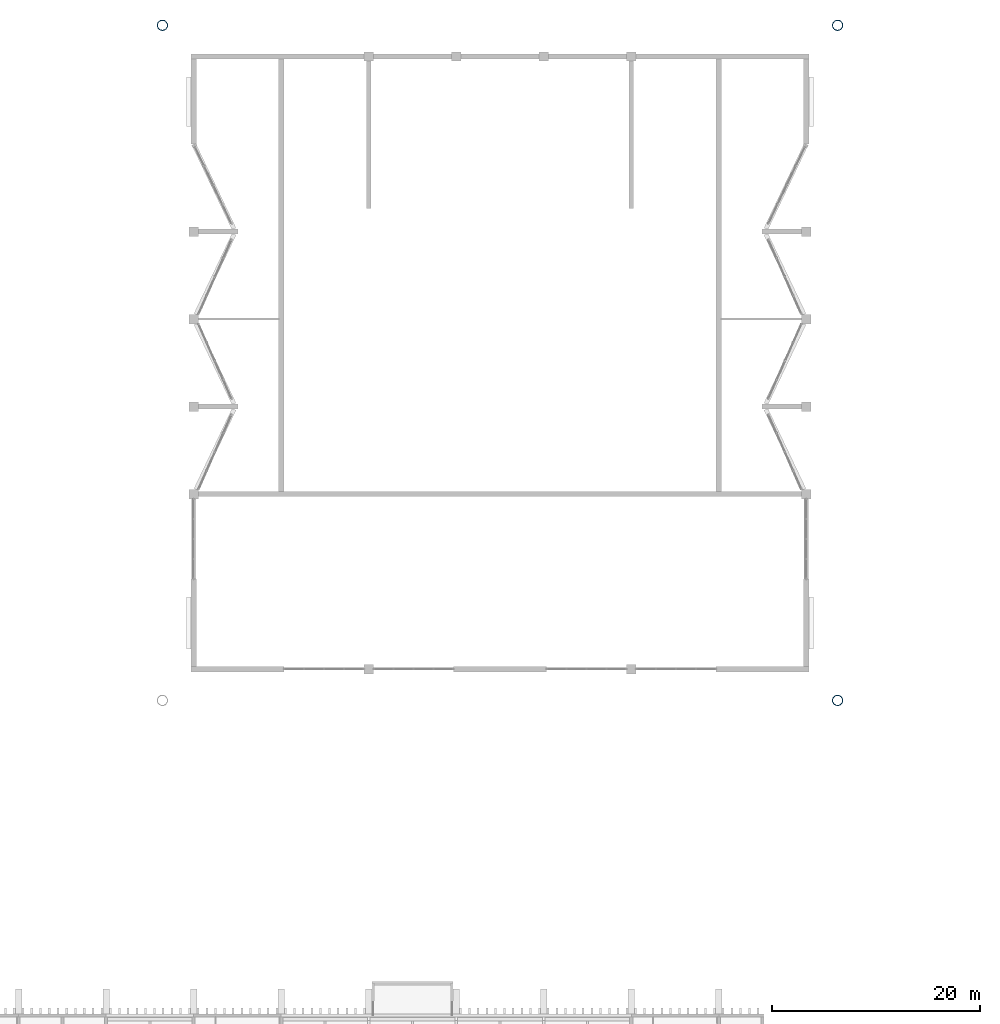
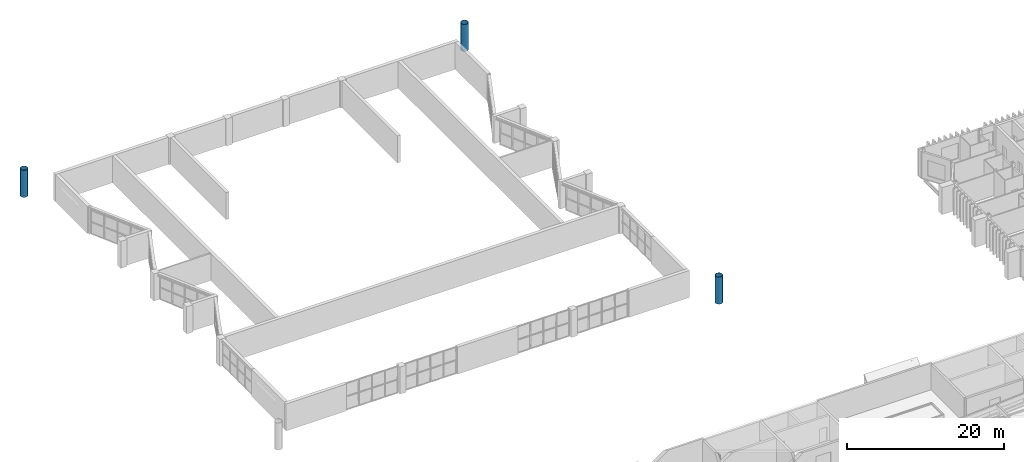
# One storey, part 8 of 51: 3 columns.
"""IFC4 building model written with IfcOpenShell, lengths in metres."""

from ifc_helpers import new_model, si_unit, direction, frame, origin, origin_2d, place, context, subcontext, project, spatial, hollow_circle, extrude, material, material_profile, profile_set, type_object, element, save


model = new_model("IFC4")

# Units and contexts
model_context = context("Model", 3, precision=1e-05, world=origin(), true_north=direction((0.0, 1.0)))
body_context = subcontext(model_context, "Body", "Model", "MODEL_VIEW")
ifc_project = project(units=[si_unit("LENGTHUNIT", "METRE"), si_unit("AREAUNIT", "SQUARE_METRE"), si_unit("VOLUMEUNIT", "CUBIC_METRE"), si_unit("PLANEANGLEUNIT", "RADIAN"), si_unit("MASSUNIT", "GRAM", prefix="KILO")], contexts=[model_context])

# Site, building, storey
site_placement = place(None, origin())
site = spatial("IfcSite", under=ifc_project, at=site_placement, CompositionType="ELEMENT")
building_placement = place(site_placement, origin())
building = spatial("IfcBuilding", under=site, at=building_placement, Name="Cresset Court Congress Hotel", CompositionType="ELEMENT")
storey_placement = place(building_placement, frame((0.0, 0.0, 18.60009765625)))
storey = spatial("IfcBuildingStorey", under=building, at=storey_placement, Name="L04", CompositionType="ELEMENT", Elevation=18.60009765625)

# Columns
ifc_material = material(Name="Structural steel Q355B", Category="steel")
ifc_material_profile = material_profile(ifc_material, hollow_circle(Radius=0.508056640625, WallThickness=0.050048828125, at=origin_2d()), Name="CHS1016x50")
ifc_profile_set = profile_set([ifc_material_profile], Name="Structural steel Q355B")
column_type = type_object("IfcColumnType", Name="Mast tube 1016x50", PredefinedType="COLUMN", material=ifc_profile_set)
for number, where, z_axis, x_axis, name in (
    (1, (120.60009765625, 55.800048828125, 0.0), (0.0, 0.0, 1.0), (1.0, 0.0, 0.0), "Mast M2"),
    (2, (120.60009765625, 120.60009765625, 0.0), (0.0, 0.0, 1.0), (1.0, 0.0, 0.0), "Mast M3"),
    (3, (55.800048828125, 120.60009765625, 0.0), (0.0, 0.0, 1.0), (1.0, 0.0, 0.0), "Mast M4"),
):
    element("IfcColumn", number, at=place(storey_placement, frame(where, z_axis=z_axis, x_axis=x_axis)), inside=storey, type_object=column_type, Name=name, PredefinedType="COLUMN", context=body_context, shape_type="SweptSolid", body=[
        extrude(hollow_circle(Radius=0.508056640625, WallThickness=0.050048828125, at=origin_2d()), origin(), (0.0, 0.0, 1.0), 4.199951171875),
    ])

save(model, "model.ifc")
